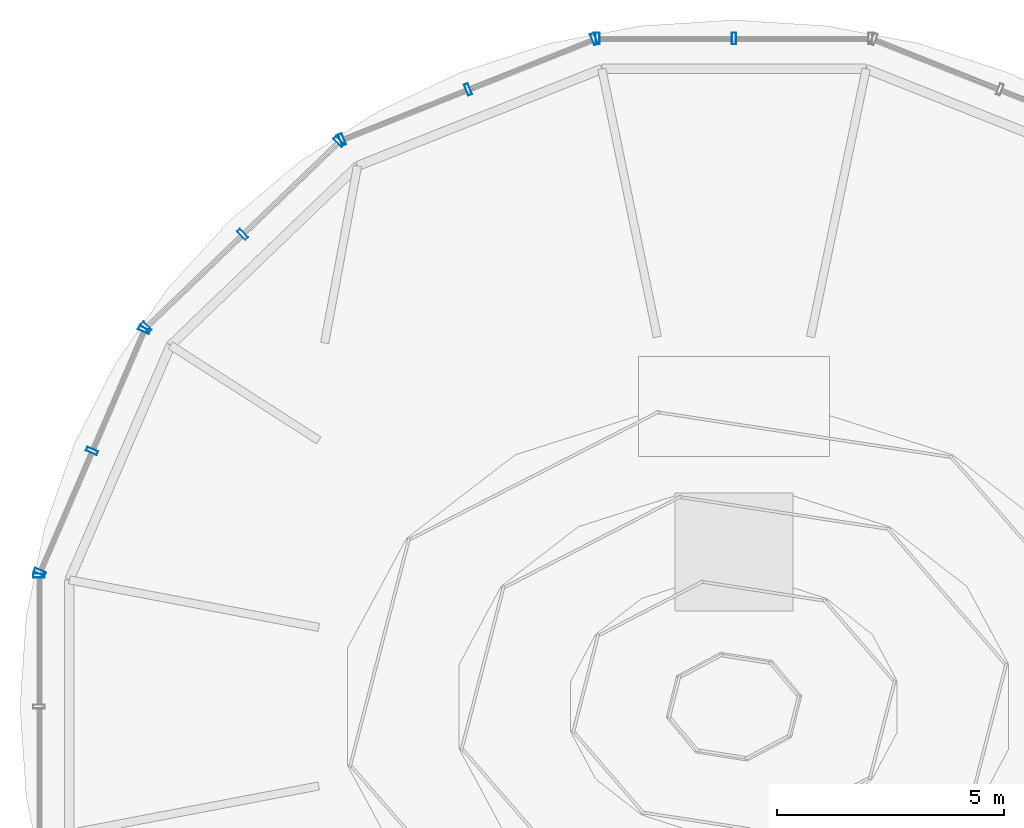
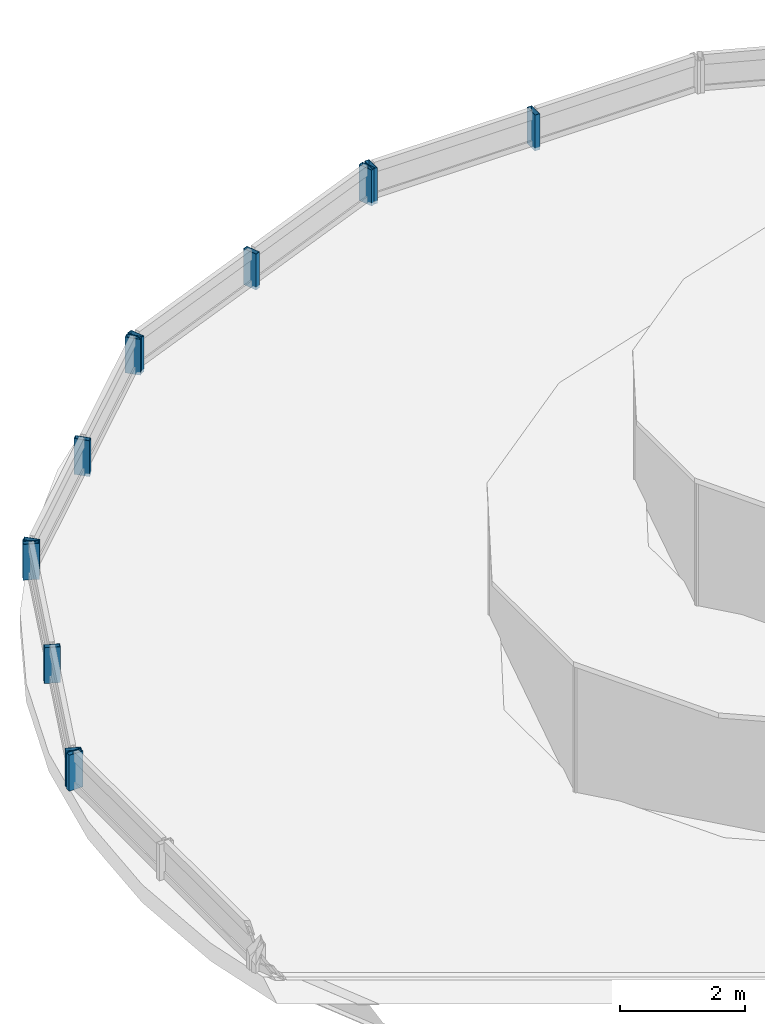
# One storey, part 5 of 8: 12 members, 5 elements without a shape of their own.
"""IFC4 building model written with IfcOpenShell, lengths in metres."""

from ifc_helpers import new_model, si_unit, direction, frame, origin, origin_2d, place, context, subcontext, project, spatial, hollow_rectangle, extrude, source, transform, mapped, material, material_profile, profile_set, type_object, element, aggregate, save


model = new_model("IFC4")

# Units and contexts
model_context = context("Model", 3, precision=1e-05, world=origin(), true_north=direction((-0.2419218956, 0.970295726276)))
body_context = subcontext(model_context, "Body", "Model", "MODEL_VIEW")
ifc_project = project(units=[si_unit("LENGTHUNIT", "METRE"), si_unit("AREAUNIT", "SQUARE_METRE"), si_unit("VOLUMEUNIT", "CUBIC_METRE"), si_unit("PLANEANGLEUNIT", "RADIAN"), si_unit("MASSUNIT", "GRAM", prefix="KILO")], contexts=[model_context])

# Site, building, storey
site_placement = place(None, origin())
site = spatial("IfcSite", under=ifc_project, at=site_placement, CompositionType="ELEMENT")
building_placement = place(site_placement, origin())
building = spatial("IfcBuilding", under=site, at=building_placement, Name="Cobrevalo Terracotta Tower", CompositionType="ELEMENT")
storey_placement = place(building_placement, frame((0.0, 0.0, 337.300048828125)))
storey = spatial("IfcBuildingStorey", under=building, at=storey_placement, Name="RF", CompositionType="ELEMENT", Elevation=337.300048828125)

# Curtain wall, members
ifc_material = material(Name="Anodized aluminium", Category="aluminium")
curtain_wall_type = type_object("IfcCurtainWallType", Name="Faceted glass-point crown structural glazing system CW-CR", PredefinedType="NOTDEFINED", material=ifc_material)
curtain_wall_1_placement = place(storey_placement, origin())
curtain_wall_1 = element("IfcCurtainWall", 1, at=curtain_wall_1_placement, inside=storey, type_object=curtain_wall_type, Name="RF curtain wall CW-CRN-RF-S04", PredefinedType="NOTDEFINED")
ifc_material_profile = material_profile(ifc_material, hollow_rectangle(XDim=0.090087890625, YDim=0.260009765625, WallThickness=0.006103515625, at=origin_2d()), Name="CWM 90x260")
ifc_profile_set = profile_set([ifc_material_profile], Name="Anodized aluminium")
member_type = type_object("IfcMemberType", Name="Crown structural glass mullion 90x260", PredefinedType="MULLION", material=ifc_profile_set)
shared_shape = source(origin(), body_context, "Body", "SweptSolid", [
    extrude(hollow_rectangle(XDim=0.090087890625, YDim=0.260009765625, WallThickness=0.006103515625, at=origin_2d()), origin(), (0.0, 0.0, 1.0), 0.699951171875),
])
member_1_placement = place(storey_placement, frame((38.0, 41.4921875, 0.0), z_axis=(0.0, 0.0, 1.0), x_axis=(-1.0, 0.0, 0.0)))
member_1 = element("IfcMember", 2, at=member_1_placement, type_object=member_type, Name="CW-CRN-RF-S04 vertical mullion 02", PredefinedType="MULLION", context=body_context, shape_type="MappedRepresentation", body=[
    mapped(shared_shape, transform((0.0, 0.0, 0.0), scale=1.0)),
])
member_2_placement = place(storey_placement, frame((35.00048828125, 41.4921875, 0.0), z_axis=(0.0, 0.0, 1.0), x_axis=(-1.0, 0.0, 0.0)))
member_2 = element("IfcMember", 3, at=member_2_placement, type_object=member_type, Name="CW-CRN-RF-S04 vertical mullion 03", PredefinedType="MULLION", context=body_context, shape_type="MappedRepresentation", body=[
    mapped(shared_shape, transform((0.0, 0.0, 0.0), scale=1.0)),
])
aggregate(curtain_wall_1, [member_1, member_2])

curtain_wall_2_placement = place(storey_placement, origin())
curtain_wall_2 = element("IfcCurtainWall", 4, at=curtain_wall_2_placement, inside=storey, type_object=curtain_wall_type, Name="RF curtain wall CW-CRN-RF-S05", PredefinedType="NOTDEFINED")
member_3_placement = place(storey_placement, frame((34.92333984375, 41.477294921875, 0.0), z_axis=(0.0, 0.0, 1.0), x_axis=(-0.929029282535, -0.370006205615, 0.0)))
member_3 = element("IfcMember", 5, at=member_3_placement, type_object=member_type, Name="CW-CRN-RF-S05 vertical mullion 01", PredefinedType="MULLION", context=body_context, shape_type="MappedRepresentation", body=[
    mapped(shared_shape, transform((0.0, 0.0, 0.0), scale=1.0)),
])
member_4_placement = place(storey_placement, frame((32.15234375, 40.373779296875, 0.0), z_axis=(0.0, 0.0, 1.0), x_axis=(-0.929029282535, -0.370006205615, 0.0)))
member_4 = element("IfcMember", 6, at=member_4_placement, type_object=member_type, Name="CW-CRN-RF-S05 vertical mullion 02", PredefinedType="MULLION", context=body_context, shape_type="MappedRepresentation", body=[
    mapped(shared_shape, transform((0.0, 0.0, 0.0), scale=1.0)),
])
member_5_placement = place(storey_placement, frame((29.38134765625, 39.270263671875, 0.0), z_axis=(0.0, 0.0, 1.0), x_axis=(-0.929029282535, -0.370006205615, 0.0)))
member_5 = element("IfcMember", 7, at=member_5_placement, type_object=member_type, Name="CW-CRN-RF-S05 vertical mullion 03", PredefinedType="MULLION", context=body_context, shape_type="MappedRepresentation", body=[
    mapped(shared_shape, transform((0.0, 0.0, 0.0), scale=1.0)),
])
aggregate(curtain_wall_2, [member_3, member_4, member_5])

curtain_wall_3_placement = place(storey_placement, origin())
curtain_wall_3 = element("IfcCurtainWall", 8, at=curtain_wall_3_placement, inside=storey, type_object=curtain_wall_type, Name="RF curtain wall CW-CRN-RF-S06", PredefinedType="NOTDEFINED")
member_6_placement = place(storey_placement, frame((29.3154296875, 39.227783203125, 0.0), z_axis=(0.0, 0.0, 1.0), x_axis=(-0.720853596703, -0.693087362546, 0.0)))
member_6 = element("IfcMember", 9, at=member_6_placement, type_object=member_type, Name="CW-CRN-RF-S06 vertical mullion 01", PredefinedType="MULLION", context=body_context, shape_type="MappedRepresentation", body=[
    mapped(shared_shape, transform((0.0, 0.0, 0.0), scale=1.0)),
])
member_7_placement = place(storey_placement, frame((27.195068359375, 37.18896484375, 0.0), z_axis=(0.0, 0.0, 1.0), x_axis=(-0.720853596703, -0.693087362546, 0.0)))
member_7 = element("IfcMember", 10, at=member_7_placement, type_object=member_type, Name="CW-CRN-RF-S06 vertical mullion 02", PredefinedType="MULLION", context=body_context, shape_type="MappedRepresentation", body=[
    mapped(shared_shape, transform((0.0, 0.0, 0.0), scale=1.0)),
])
member_8_placement = place(storey_placement, frame((25.074462890625, 35.150146484375, 0.0), z_axis=(0.0, 0.0, 1.0), x_axis=(-0.720853596703, -0.693087362546, 0.0)))
member_8 = element("IfcMember", 11, at=member_8_placement, type_object=member_type, Name="CW-CRN-RF-S06 vertical mullion 03", PredefinedType="MULLION", context=body_context, shape_type="MappedRepresentation", body=[
    mapped(shared_shape, transform((0.0, 0.0, 0.0), scale=1.0)),
])
aggregate(curtain_wall_3, [member_6, member_7, member_8])

curtain_wall_4_placement = place(storey_placement, origin())
curtain_wall_4 = element("IfcCurtainWall", 12, at=curtain_wall_4_placement, inside=storey, type_object=curtain_wall_type, Name="RF curtain wall CW-CRN-RF-S07", PredefinedType="NOTDEFINED")
member_9_placement = place(storey_placement, frame((25.02978515625, 35.085693359375, 0.0), z_axis=(0.0, 0.0, 1.0), x_axis=(-0.395657709004, -0.918398049489, 0.0)))
member_9 = element("IfcMember", 13, at=member_9_placement, type_object=member_type, Name="CW-CRN-RF-S07 vertical mullion 01", PredefinedType="MULLION", context=body_context, shape_type="MappedRepresentation", body=[
    mapped(shared_shape, transform((0.0, 0.0, 0.0), scale=1.0)),
])
member_10_placement = place(storey_placement, frame((23.882568359375, 32.42236328125, 0.0), z_axis=(0.0, 0.0, 1.0), x_axis=(-0.395657709004, -0.918398049489, 0.0)))
member_10 = element("IfcMember", 14, at=member_10_placement, type_object=member_type, Name="CW-CRN-RF-S07 vertical mullion 02", PredefinedType="MULLION", context=body_context, shape_type="MappedRepresentation", body=[
    mapped(shared_shape, transform((0.0, 0.0, 0.0), scale=1.0)),
])
member_11_placement = place(storey_placement, frame((22.735107421875, 29.75927734375, 0.0), z_axis=(0.0, 0.0, 1.0), x_axis=(-0.395657709004, -0.918398049489, 0.0)))
member_11 = element("IfcMember", 15, at=member_11_placement, type_object=member_type, Name="CW-CRN-RF-S07 vertical mullion 03", PredefinedType="MULLION", context=body_context, shape_type="MappedRepresentation", body=[
    mapped(shared_shape, transform((0.0, 0.0, 0.0), scale=1.0)),
])
aggregate(curtain_wall_4, [member_9, member_10, member_11])

# Curtain wall, member
curtain_wall_5_placement = place(storey_placement, origin())
curtain_wall_5 = element("IfcCurtainWall", 16, at=curtain_wall_5_placement, inside=storey, type_object=curtain_wall_type, Name="RF curtain wall CW-CRN-RF-S08", PredefinedType="NOTDEFINED")
member_12_placement = place(storey_placement, frame((22.719482421875, 29.682373046875, 0.0), z_axis=(0.0, 0.0, 1.0), x_axis=(0.0, -1.0, 0.0)))
member_12 = element("IfcMember", 17, at=member_12_placement, type_object=member_type, Name="CW-CRN-RF-S08 vertical mullion 01", PredefinedType="MULLION", context=body_context, shape_type="MappedRepresentation", body=[
    mapped(shared_shape, transform((0.0, 0.0, 0.0), scale=1.0)),
])
aggregate(curtain_wall_5, [member_12])

save(model, "model.ifc")
